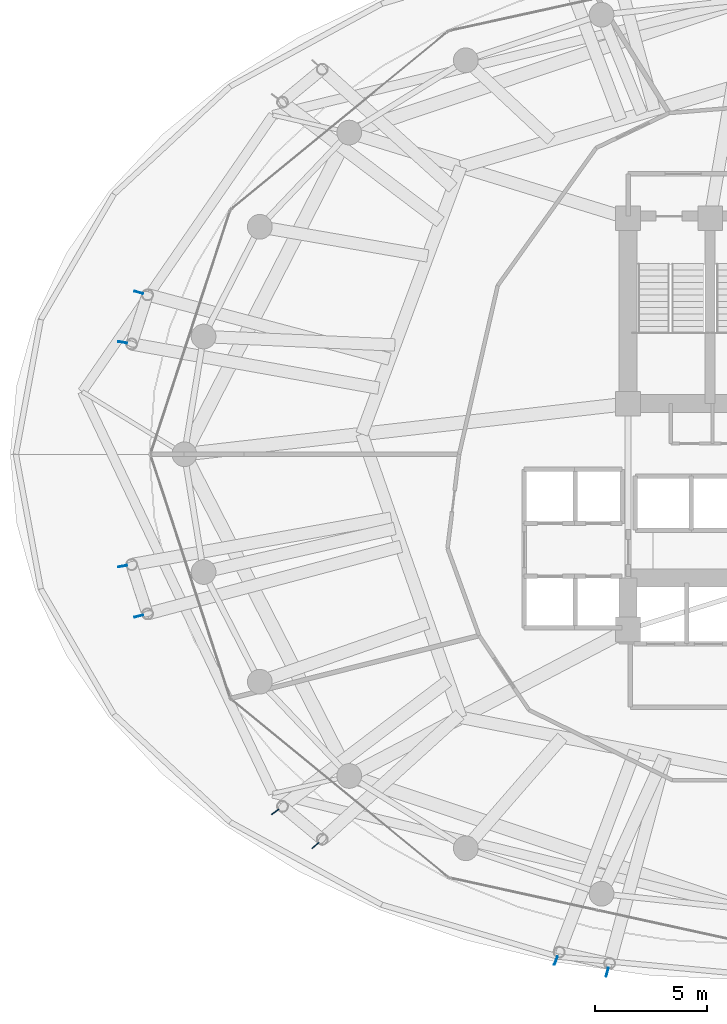
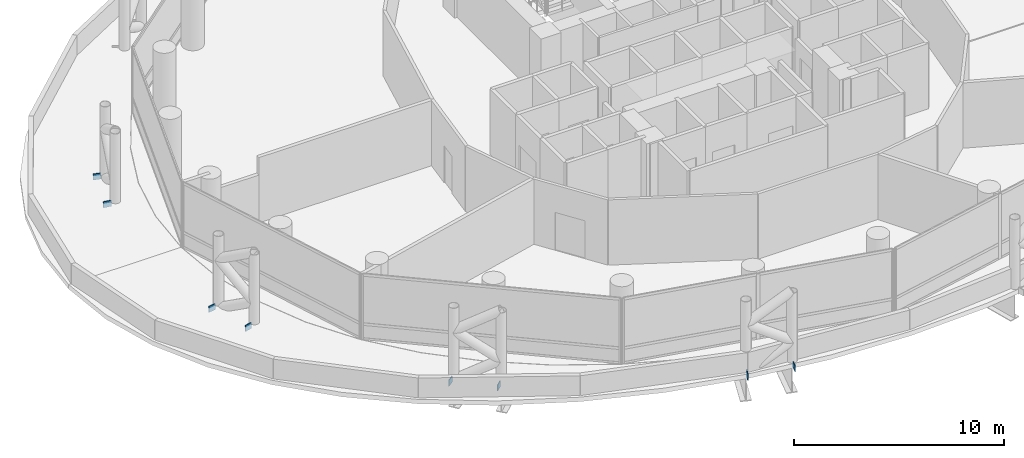
# One storey, part 33 of 37: 8 discrete accessories.
"""IFC4 building model written with IfcOpenShell, lengths in metres."""

from ifc_helpers import new_model, si_unit, direction, frame, origin, origin_2d, place, context, subcontext, project, spatial, rectangle, extrude, material, type_object, element, save


model = new_model("IFC4")

# Units and contexts
model_context = context("Model", 3, precision=1e-05, world=origin(), true_north=direction((0.0, 1.0)))
body_context = subcontext(model_context, "Body", "Model", "MODEL_VIEW")
ifc_project = project(units=[si_unit("LENGTHUNIT", "METRE"), si_unit("AREAUNIT", "SQUARE_METRE"), si_unit("VOLUMEUNIT", "CUBIC_METRE"), si_unit("PLANEANGLEUNIT", "RADIAN"), si_unit("MASSUNIT", "GRAM", prefix="KILO")], contexts=[model_context])

# Site, building, storey
site_placement = place(None, origin())
site = spatial("IfcSite", under=ifc_project, at=site_placement, CompositionType="ELEMENT")
building_placement = place(site_placement, origin())
building = spatial("IfcBuilding", under=site, at=building_placement, Name="Nuhasar Tower", CompositionType="ELEMENT")
storey_placement = place(building_placement, frame((0.0, 0.0, 21.0)))
storey = spatial("IfcBuildingStorey", under=building, at=storey_placement, Name="L04", CompositionType="ELEMENT", Elevation=21.0)

# Discrete accessories
ifc_material = material(Name="Steel S460", Category="steel")
discrete_accessory_type = type_object("IfcDiscreteAccessoryType", Name="ACC-GUS-40", PredefinedType="USERDEFINED", material=ifc_material)
for number, where, z_axis, x_axis, name in (
    (1, (11.91796875, 34.0029296875, -0.260009765625), (0.0, 0.0, 1.0), (-0.966403000906, 0.257031593079, 0.0), "L04 Exoskeleton Chord Column EC-06A Gusset Plate"),
    (2, (11.201904296875, 31.781005859375, -0.260009765625), (0.0, 0.0, 1.0), (-0.984322075157, 0.176380419433, 0.0), "L04 Exoskeleton Chord Column EC-06B Gusset Plate"),
    (3, (11.201904296875, 21.819091796875, -0.260009765625), (0.0, 0.0, 1.0), (-0.984322075157, -0.176380419433, 0.0), "L04 Exoskeleton Chord Column EC-07A Gusset Plate"),
    (4, (11.91796875, 19.596923828125, -0.260009765625), (0.0, 0.0, 1.0), (-0.966403000906, -0.257031593079, 0.0), "L04 Exoskeleton Chord Column EC-07B Gusset Plate"),
    (5, (17.992919921875, 10.885009765625, -0.260009765625), (0.0, 0.0, 1.0), (-0.797078306655, -0.60387595834, 0.0), "L04 Exoskeleton Chord Column EC-08A Gusset Plate"),
    (6, (19.7880859375, 9.389892578125, -0.260009765625), (0.0, 0.0, 1.0), (-0.741003867187, -0.671500758611, 0.0), "L04 Exoskeleton Chord Column EC-08B Gusset Plate"),
    (7, (30.487060546875, 4.261962890625, -0.260009765625), (0.0, 0.0, 1.0), (-0.353344227708, -0.93549337611, 0.0), "L04 Exoskeleton Chord Column EC-09A Gusset Plate"),
    (8, (32.77099609375, 3.7509765625, -0.260009765625), (0.0, 0.0, 1.0), (-0.260908902007, -0.965363426308, 0.0), "L04 Exoskeleton Chord Column EC-09B Gusset Plate"),
):
    element("IfcDiscreteAccessory", number, at=place(storey_placement, frame(where, z_axis=z_axis, x_axis=x_axis)), inside=storey, type_object=discrete_accessory_type, Name=name, ObjectType="STEEL_GUSSET_PLATE", PredefinedType="USERDEFINED", context=body_context, shape_type="SweptSolid", body=[
        extrude(rectangle(XDim=0.39990234375, YDim=0.0400390625, at=origin_2d()), origin(), (0.0, 0.0, 1.0), 0.35009765625),
    ])

save(model, "model.ifc")
